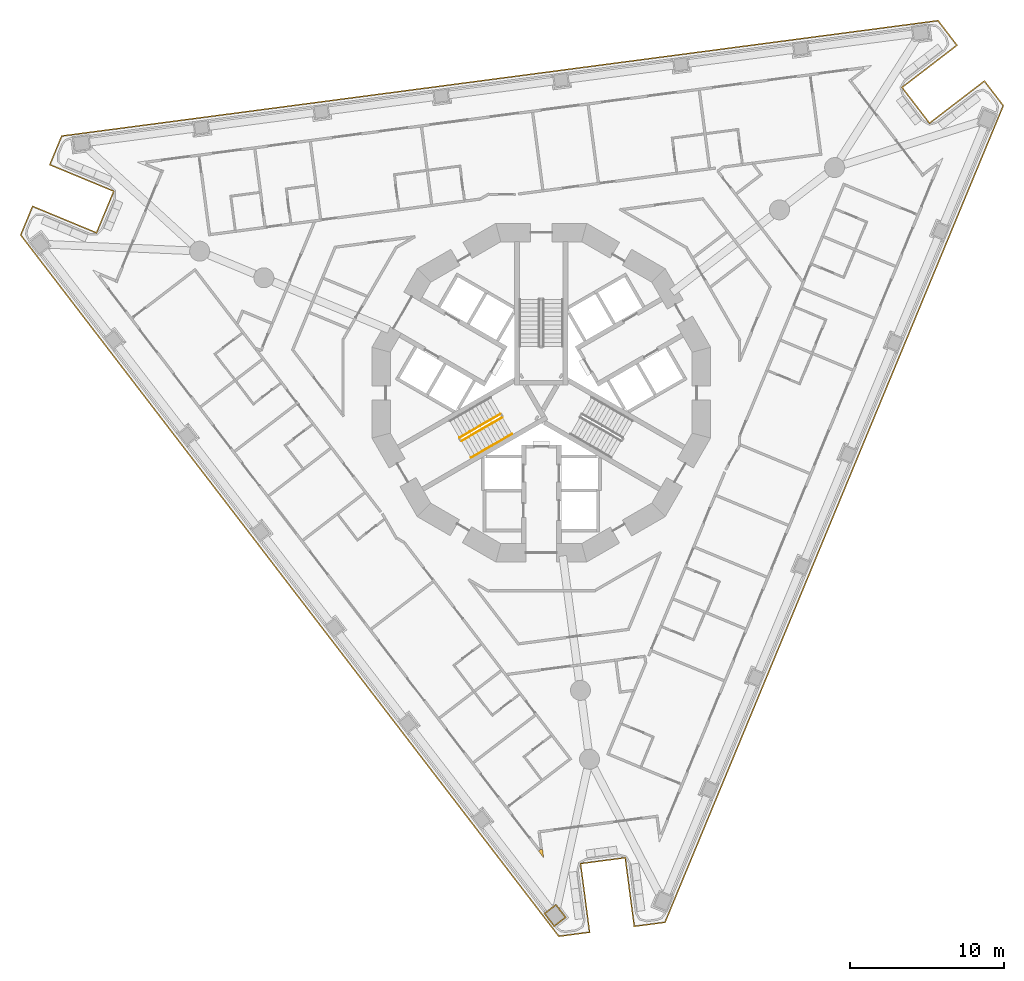
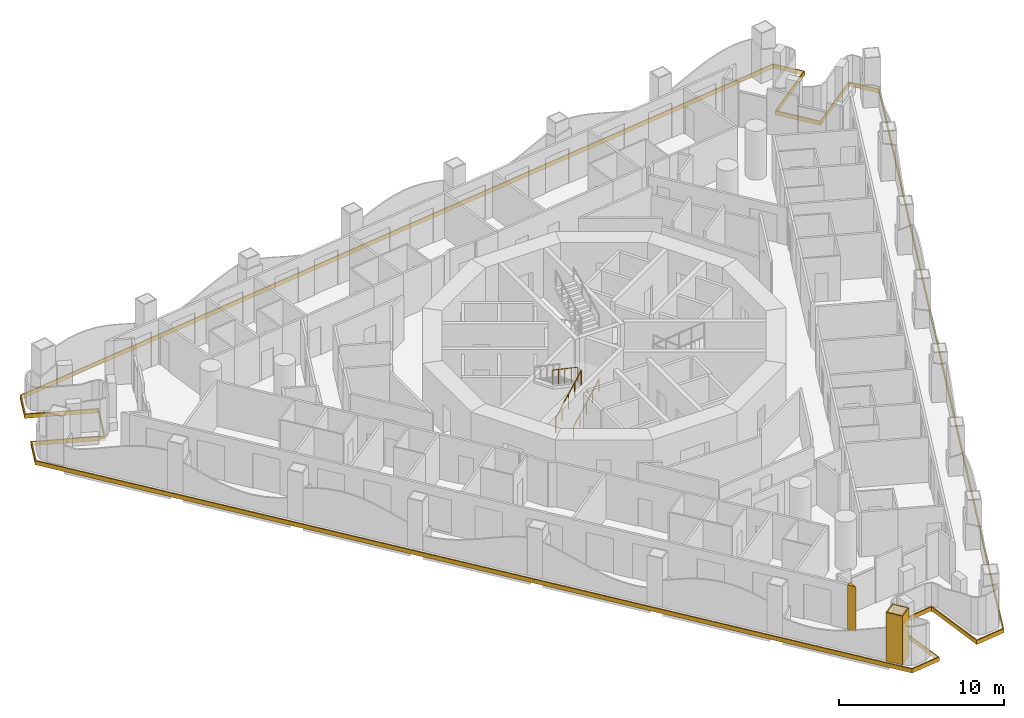
# One storey, part 13 of 19: 4 railings, 3 coverings.
"""IFC4 building model written with IfcOpenShell, lengths in metres."""

from ifc_helpers import new_model, si_unit, direction, frame, origin, origin_2d, place, context, subcontext, project, spatial, polyline, circle, outline, extrude, material, layer, layer_set, type_object, element, save


model = new_model("IFC4")

# Units and contexts
model_context = context("Model", 3, precision=1e-05, world=origin(), true_north=direction((0.0, 1.0)))
body_context = subcontext(model_context, "Body", "Model", "MODEL_VIEW")
ifc_project = project(units=[si_unit("LENGTHUNIT", "METRE"), si_unit("AREAUNIT", "SQUARE_METRE"), si_unit("VOLUMEUNIT", "CUBIC_METRE"), si_unit("PLANEANGLEUNIT", "RADIAN"), si_unit("MASSUNIT", "GRAM", prefix="KILO")], contexts=[model_context])

# Site, building, storey
site_placement = place(None, origin())
site = spatial("IfcSite", under=ifc_project, at=site_placement, CompositionType="ELEMENT")
building_placement = place(site_placement, origin())
building = spatial("IfcBuilding", under=site, at=building_placement, Name="Trine Commons Tower", CompositionType="ELEMENT")
storey_placement = place(building_placement, frame((0.0, 0.0, 61.199951171875)))
storey = spatial("IfcBuildingStorey", under=building, at=storey_placement, Name="L14", CompositionType="ELEMENT", Elevation=61.199951171875)

# Coverings
ifc_material_1 = material(Name="Aluminium-framed insulated wall panel", Category="aluminium")
ifc_layer_1 = layer(ifc_material_1, 0.14990234375)
ifc_layer_set_1 = layer_set([ifc_layer_1], Name="Aluminium-framed insulated wall panel")
covering_type_1 = type_object("IfcCoveringType", Name="Glazing corner post, aluminium", PredefinedType="CLADDING", material=ifc_layer_set_1)
covering_1_placement = place(storey_placement, origin())
element("IfcCovering", 1, at=covering_1_placement, inside=storey, type_object=covering_type_1, Name="Glazing corner post 2-12", PredefinedType="CLADDING", context=body_context, shape_type="SweptSolid", body=[
    extrude(outline(polyline([(79.818603515625, 32.697021484375), (80.159423828125, 32.2529296875), (80.086181640625, 32.80810546875), (79.9375, 32.788330078125), (79.818603515625, 32.697021484375)])), origin(), (0.0, 0.0, 1.0), 3.300048828125),
])
ifc_material_2 = material(Name="Limestone, honed", Category="masonry")
ifc_layer_2 = layer(ifc_material_2, 0.074951171875)
ifc_layer_set_2 = layer_set([ifc_layer_2], Name="Limestone, honed")
covering_type_2 = type_object("IfcCoveringType", Name="Limestone column cladding 75", PredefinedType="CLADDING", material=ifc_layer_set_2)
covering_2_placement = place(storey_placement, origin())
element("IfcCovering", 2, at=covering_2_placement, inside=storey, type_object=covering_type_2, Name="Limestone pier cladding 2-01", PredefinedType="CLADDING", context=body_context, shape_type="SweptSolid", body=[
    extrude(outline(polyline([(80.96142578125, 29.2529296875), (80.16796875, 28.644287109375), (80.837646484375, 27.771484375), (81.631103515625, 28.38037109375), (80.96142578125, 29.2529296875)]), holes=[polyline([(80.947509765625, 29.14794921875), (80.273193359375, 28.63037109375), (80.8515625, 27.876708984375), (81.52587890625, 28.394287109375), (80.947509765625, 29.14794921875)])]), origin(), (0.0, 0.0, 1.0), 3.60009765625),
])
ifc_layer_3 = layer(ifc_material_2, 0.074951171875)
ifc_layer_set_3 = layer_set([ifc_layer_3], Name="Limestone, honed")
covering_type_3 = type_object("IfcCoveringType", Name="Limestone spandrel panel 75", PredefinedType="CLADDING", material=ifc_layer_set_3)
covering_3_placement = place(storey_placement, frame((0.0, 0.0, -0.300048828125)))
element("IfcCovering", 3, at=covering_3_placement, inside=storey, type_object=covering_type_3, Name="Limestone spandrel panel 2-01", PredefinedType="CLADDING", context=body_context, shape_type="SweptSolid", body=[
    extrude(outline(polyline([(85.423583984375, 32.220458984375), (86.010986328125, 27.7587890625), (88.07568359375, 28.03076171875), (110.083740234375, 81.1630859375), (108.816162109375, 82.815185546875), (105.24609375, 80.07568359375), (103.510986328125, 82.3369140625), (107.081298828125, 85.076416015625), (105.8134765625, 86.728515625), (48.79541015625, 79.2216796875), (47.998291015625, 77.2978515625), (52.156005859375, 75.57568359375), (51.065185546875, 72.94287109375), (46.90771484375, 74.664794921875), (46.11083984375, 72.740966796875), (81.120849609375, 27.114990234375), (83.185302734375, 27.386962890625), (82.59814453125, 31.848388671875), (85.423583984375, 32.220458984375)]), holes=[polyline([(108.80224609375, 82.710205078125), (109.998046875, 81.15185546875), (88.02294921875, 28.099365234375), (86.07568359375, 27.843017578125), (85.48828125, 32.304443359375), (82.513916015625, 31.912841796875), (83.101318359375, 27.451416015625), (81.154052734375, 27.195068359375), (46.19677734375, 72.752197265625), (46.948486328125, 74.56689453125), (51.105712890625, 72.8447265625), (52.25390625, 75.616455078125), (48.096435546875, 77.33837890625), (48.847900390625, 79.153076171875), (105.780517578125, 86.6484375), (106.97607421875, 85.090087890625), (103.406005859375, 82.3505859375), (105.232177734375, 79.970703125), (108.80224609375, 82.710205078125)])]), origin(), (0.0, 0.0, 1.0), 0.300048828125),
])

# Railings
ifc_material_3 = material(Name="Stainless steel balustrade", Category="steel")
railing_type_1 = type_object("IfcRailingType", Name="Stair guard, steel balustrade 1100", PredefinedType="GUARDRAIL", material=ifc_material_3)
railing_1_placement = place(storey_placement, frame((74.80517578125, 59.3564453125, 0.150146484375)))
element("IfcRailing", 4, at=railing_1_placement, inside=storey, type_object=railing_type_1, Name="L14 ST2A stair guard 1", PredefinedType="GUARDRAIL", context=body_context, shape_type="SweptSolid", body=[
    extrude(circle(Radius=0.02392578125, at=origin_2d()), frame((0.0, 0.0, 1.076171875), z_axis=(0.76340495495, 0.440743040072, 0.472184759798), x_axis=(-0.499992328818, 0.866029832698, 0.0)), (0.0, 0.0, 1.0), 3.494140625),
    extrude(circle(Radius=0.02099609375, at=origin_2d()), origin(), (0.0, 0.0, 1.0), 1.052001953125),
    extrude(circle(Radius=0.02099609375, at=origin_2d()), frame((0.6669921875, 0.385009765625, 0.41259765625)), (0.0, 0.0, 1.0), 1.052001953125),
    extrude(circle(Radius=0.02099609375, at=origin_2d()), frame((1.333740234375, 0.77001953125, 0.824951171875)), (0.0, 0.0, 1.0), 1.052001953125),
    extrude(circle(Radius=0.02099609375, at=origin_2d()), frame((2.00048828125, 1.155029296875, 1.2373046875)), (0.0, 0.0, 1.0), 1.052001953125),
    extrude(circle(Radius=0.02099609375, at=origin_2d()), frame((2.66748046875, 1.5400390625, 1.64990234375)), (0.0, 0.0, 1.0), 1.052001953125),
])
railing_2_placement = place(storey_placement, frame((77.34765625, 61.113037109375, 1.949951171875)))
element("IfcRailing", 5, at=railing_2_placement, inside=storey, type_object=railing_type_1, Name="L14 ST2A stair guard 3", PredefinedType="GUARDRAIL", context=body_context, shape_type="SweptSolid", body=[
    extrude(circle(Radius=0.02392578125, at=origin_2d()), frame((0.0, 0.0, 1.076171875), z_axis=(-0.763379768245, -0.440728498818, 0.472239049384), x_axis=(0.499992328818, -0.866029832698, 0.0)), (0.0, 0.0, 1.0), 3.494384765625),
    extrude(circle(Radius=0.02099609375, at=origin_2d()), origin(), (0.0, 0.0, 1.0), 1.052001953125),
    extrude(circle(Radius=0.02099609375, at=origin_2d()), frame((-0.6669921875, -0.385009765625, 0.41259765625)), (0.0, 0.0, 1.0), 1.052001953125),
    extrude(circle(Radius=0.02099609375, at=origin_2d()), frame((-1.333740234375, -0.77001953125, 0.8251953125)), (0.0, 0.0, 1.0), 1.052001953125),
    extrude(circle(Radius=0.02099609375, at=origin_2d()), frame((-2.00048828125, -1.155029296875, 1.237548828125)), (0.0, 0.0, 1.0), 1.052001953125),
    extrude(circle(Radius=0.02099609375, at=origin_2d()), frame((-2.66748046875, -1.5400390625, 1.650146484375)), (0.0, 0.0, 1.0), 1.052001953125),
])
ifc_material_4 = material(Name="Stainless steel handrail", Category="steel")
railing_type_2 = type_object("IfcRailingType", Name="Stair handrail, steel 900", PredefinedType="HANDRAIL", material=ifc_material_4)
for number, where, name in (
    (6, (75.43017578125, 58.27392578125, 0.150146484375), "L14 ST2A stair handrail 1"),
    (7, (76.763916015625, 59.0439453125, 0.97509765625), "L14 ST2A stair handrail 2"),
):
    element("IfcRailing", number, at=place(storey_placement, frame(where)), inside=storey, type_object=railing_type_2, Name=name, PredefinedType="HANDRAIL", context=body_context, shape_type="SweptSolid", body=[
        extrude(circle(Radius=0.02099609375, at=origin_2d()), frame((0.0, 0.0, 0.87890625), z_axis=(0.76340495495, 0.440743040072, 0.472184759798), x_axis=(-0.499992328818, 0.866029832698, 0.0)), (0.0, 0.0, 1.0), 1.7470703125),
        extrude(circle(Radius=0.01513671875, at=origin_2d()), origin(), (0.0, 0.0, 1.0), 0.85791015625),
        extrude(circle(Radius=0.01513671875, at=origin_2d()), frame((0.6669921875, 0.385009765625, 0.41259765625)), (0.0, 0.0, 1.0), 0.85791015625),
        extrude(circle(Radius=0.01513671875, at=origin_2d()), frame((1.333740234375, 0.77001953125, 0.824951171875)), (0.0, 0.0, 1.0), 0.85791015625),
    ])

save(model, "model.ifc")
